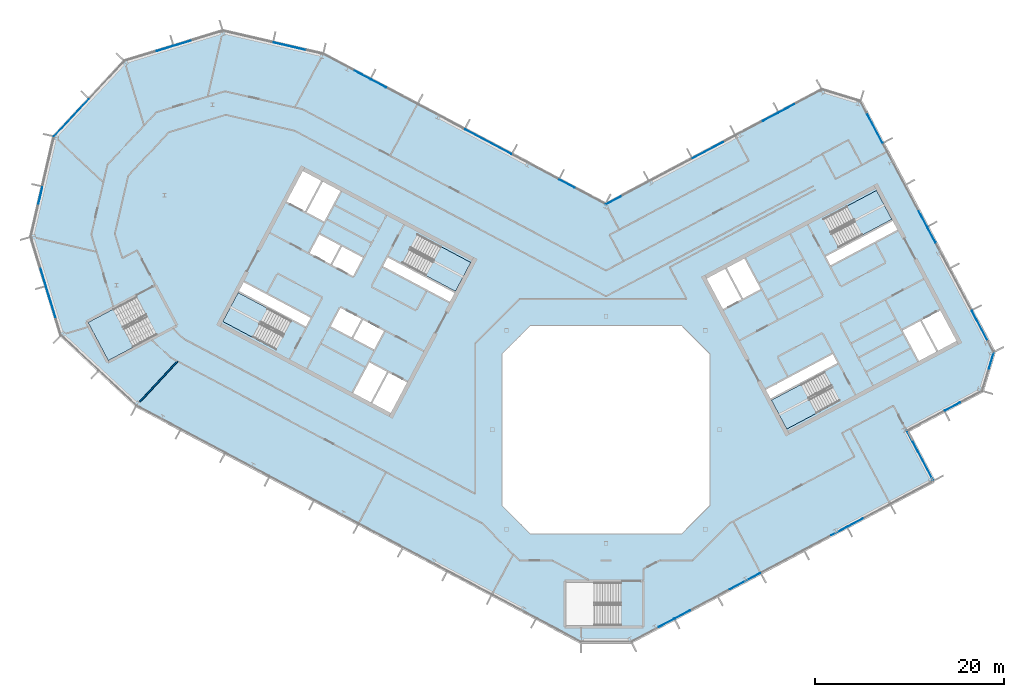
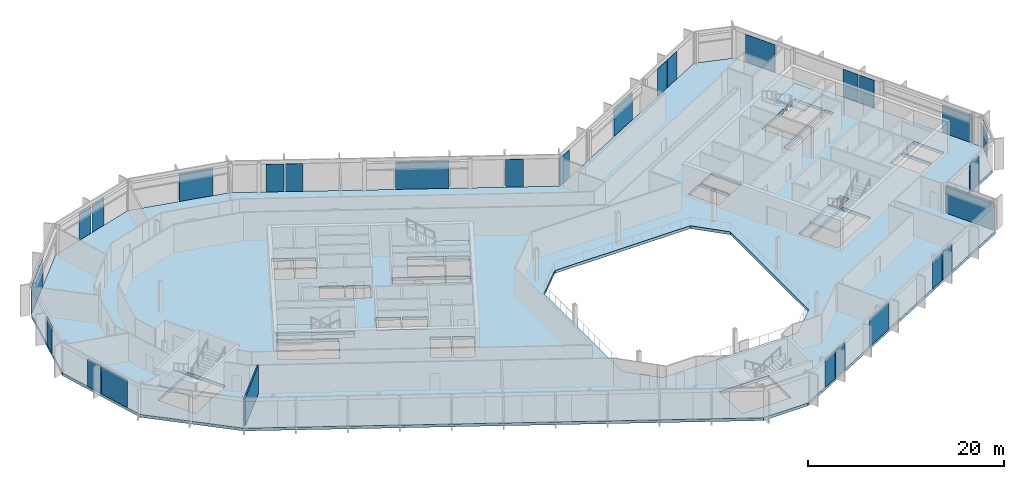
# One storey, part 11 of 25: 27 plates, 6 slabs, 1 wall, 17 elements without a shape of their own.
"""IFC4 building model written with IfcOpenShell, lengths in metres."""

from ifc_helpers import new_model, si_unit, direction, frame, frame_2d, origin, origin_2d, place, context, subcontext, project, spatial, polyline, rectangle, outline, extrude, material, layer, layer_set, type_object, element, aggregate, save


model = new_model("IFC4")

# Units and contexts
model_context = context("Model", 3, precision=1e-05, world=origin(), true_north=direction((0.0, 1.0)))
body_context = subcontext(model_context, "Body", "Model", "MODEL_VIEW")
ifc_project = project(units=[si_unit("LENGTHUNIT", "METRE"), si_unit("AREAUNIT", "SQUARE_METRE"), si_unit("VOLUMEUNIT", "CUBIC_METRE"), si_unit("PLANEANGLEUNIT", "RADIAN"), si_unit("MASSUNIT", "GRAM", prefix="KILO")], contexts=[model_context])

# Site, building, storey
site_placement = place(None, origin())
site = spatial("IfcSite", under=ifc_project, at=site_placement, CompositionType="ELEMENT")
building_placement = place(site_placement, origin())
building = spatial("IfcBuilding", under=site, at=building_placement, Name="Cormorant Relay Tower", CompositionType="ELEMENT")
storey_placement = place(building_placement, frame((0.0, 0.0, 289.199951171875)))
storey = spatial("IfcBuildingStorey", under=building, at=storey_placement, Name="L65", CompositionType="ELEMENT", Elevation=289.199951171875)

# Curtain wall, plates
ifc_material_1 = material(Name="Aluminium 6063-T6 anodised bronze", Category="aluminium")
ifc_layer_1 = layer(ifc_material_1, 0.199951171875)
ifc_layer_set_1 = layer_set([ifc_layer_1], Name="CW1 unitised bronze curtain wall with vertical fins")
curtain_wall_type = type_object("IfcCurtainWallType", Name="CW1 unitised bronze curtain wall with vertical fins", PredefinedType="NOTDEFINED", material=ifc_layer_set_1)
curtain_wall_1_placement = place(storey_placement, origin())
curtain_wall_1 = element("IfcCurtainWall", 1, at=curtain_wall_1_placement, inside=storey, type_object=curtain_wall_type, Name="CW1 curtain wall 2", PredefinedType="NOTDEFINED")
ifc_material_2 = material(Name="Tinted laminated glass", Category="glass")
ifc_layer_2 = layer(ifc_material_2, 0.0400390625)
ifc_layer_set_2 = layer_set([ifc_layer_2], Name="CW1 tinted vision panel 1800 module")
plate_type_1 = type_object("IfcPlateType", Name="CW1 tinted vision panel 1800 module", PredefinedType="CURTAIN_PANEL", material=ifc_layer_set_2)
plate_1_placement = place(storey_placement, frame((6.359130859375, -20.42529296875, 0.0), z_axis=(0.0, 0.0, 1.0), x_axis=(0.882947592859, 0.469471562786, 0.0)))
plate_1 = element("IfcPlate", 2, at=plate_1_placement, type_object=plate_type_1, Name="CW1 panel V01", PredefinedType="CURTAIN_PANEL", context=body_context, shape_type="SweptSolid", body=[
    extrude(rectangle(XDim=1.800048828125, YDim=0.0400390625, at=origin_2d()), origin(), (0.0, 0.0, 1.0), 3.449951171875),
])
plate_2_placement = place(storey_placement, frame((8.080810546875, -19.510009765625, 0.0), z_axis=(0.0, 0.0, 1.0), x_axis=(0.882947592859, 0.469471562786, 0.0)))
plate_2 = element("IfcPlate", 3, at=plate_2_placement, type_object=plate_type_1, Name="CW1 panel V02", PredefinedType="CURTAIN_PANEL", context=body_context, shape_type="SweptSolid", body=[
    extrude(rectangle(XDim=1.800048828125, YDim=0.0400390625, at=origin_2d()), origin(), (0.0, 0.0, 1.0), 3.449951171875),
])
plate_3_placement = place(storey_placement, frame((24.6064453125, -10.72314453125, 0.0), z_axis=(0.0, 0.0, 1.0), x_axis=(0.882947592859, 0.469471562786, 0.0)))
plate_3 = element("IfcPlate", 4, at=plate_3_placement, type_object=plate_type_1, Name="CW1 panel V06", PredefinedType="CURTAIN_PANEL", context=body_context, shape_type="SweptSolid", body=[
    extrude(rectangle(XDim=1.800048828125, YDim=0.0400390625, at=origin_2d()), origin(), (0.0, 0.0, 1.0), 3.449951171875),
])
plate_4_placement = place(storey_placement, frame((26.328125, -9.8076171875, 0.0), z_axis=(0.0, 0.0, 1.0), x_axis=(0.882947592859, 0.469471562786, 0.0)))
plate_4 = element("IfcPlate", 5, at=plate_4_placement, type_object=plate_type_1, Name="CW1 panel V07", PredefinedType="CURTAIN_PANEL", context=body_context, shape_type="SweptSolid", body=[
    extrude(rectangle(XDim=1.800048828125, YDim=0.0400390625, at=origin_2d()), origin(), (0.0, 0.0, 1.0), 3.449951171875),
])

# Curtain wall, plate
curtain_wall_2_placement = place(storey_placement, origin())
curtain_wall_2 = element("IfcCurtainWall", 6, at=curtain_wall_2_placement, inside=storey, type_object=curtain_wall_type, Name="CW1 curtain wall 4", PredefinedType="NOTDEFINED")
plate_5_placement = place(storey_placement, frame((36.608154296875, 2.45361328125, 0.0), z_axis=(0.0, 0.0, 1.0), x_axis=(0.882947592859, 0.469471562786, 0.0)))
plate_5 = element("IfcPlate", 7, at=plate_5_placement, type_object=plate_type_1, Name="CW1 panel V01", PredefinedType="CURTAIN_PANEL", context=body_context, shape_type="SweptSolid", body=[
    extrude(rectangle(XDim=1.800048828125, YDim=0.0400390625, at=origin_2d()), origin(), (0.0, 0.0, 1.0), 3.449951171875),
])
aggregate(curtain_wall_2, [plate_5])

curtain_wall_3_placement = place(storey_placement, origin())
curtain_wall_3 = element("IfcCurtainWall", 8, at=curtain_wall_3_placement, inside=storey, type_object=curtain_wall_type, Name="CW1 curtain wall 5", PredefinedType="NOTDEFINED")
plate_6_placement = place(storey_placement, frame((40.70751953125, 7.31689453125, 0.0), z_axis=(0.0, 0.0, 1.0), x_axis=(0.292371704723, 0.956304755963, 0.0)))
plate_6 = element("IfcPlate", 9, at=plate_6_placement, type_object=plate_type_1, Name="CW1 panel V01", PredefinedType="CURTAIN_PANEL", context=body_context, shape_type="SweptSolid", body=[
    extrude(rectangle(XDim=1.800048828125, YDim=0.0400390625, at=origin_2d()), origin(), (0.0, 0.0, 1.0), 3.449951171875),
])
aggregate(curtain_wall_3, [plate_6])

# Curtain wall, plates
curtain_wall_4_placement = place(storey_placement, origin())
curtain_wall_4 = element("IfcCurtainWall", 10, at=curtain_wall_4_placement, inside=storey, type_object=curtain_wall_type, Name="CW1 curtain wall 6", PredefinedType="NOTDEFINED")
plate_7_placement = place(storey_placement, frame((34.385009765625, 20.576171875, 0.0), z_axis=(0.0, 0.0, 1.0), x_axis=(-0.469471562786, 0.882947592859, 0.0)))
plate_7 = element("IfcPlate", 11, at=plate_7_placement, type_object=plate_type_1, Name="CW1 panel V03", PredefinedType="CURTAIN_PANEL", context=body_context, shape_type="SweptSolid", body=[
    extrude(rectangle(XDim=1.800048828125, YDim=0.0400390625, at=origin_2d()), origin(), (0.0, 0.0, 1.0), 3.449951171875),
])
plate_8_placement = place(storey_placement, frame((33.469482421875, 22.298095703125, 0.0), z_axis=(0.0, 0.0, 1.0), x_axis=(-0.469471562786, 0.882947592859, 0.0)))
plate_8 = element("IfcPlate", 12, at=plate_8_placement, type_object=plate_type_1, Name="CW1 panel V04", PredefinedType="CURTAIN_PANEL", context=body_context, shape_type="SweptSolid", body=[
    extrude(rectangle(XDim=1.800048828125, YDim=0.0400390625, at=origin_2d()), origin(), (0.0, 0.0, 1.0), 3.449951171875),
])

curtain_wall_5_placement = place(storey_placement, origin())
curtain_wall_5 = element("IfcCurtainWall", 13, at=curtain_wall_5_placement, inside=storey, type_object=curtain_wall_type, Name="CW1 curtain wall 8", PredefinedType="NOTDEFINED")
plate_9_placement = place(storey_placement, frame((19.099609375, 33.962158203125, 0.0), z_axis=(0.0, 0.0, 1.0), x_axis=(-0.882947592859, -0.469471562786, 0.0)))
plate_9 = element("IfcPlate", 14, at=plate_9_placement, type_object=plate_type_1, Name="CW1 panel V01", PredefinedType="CURTAIN_PANEL", context=body_context, shape_type="SweptSolid", body=[
    extrude(rectangle(XDim=1.800048828125, YDim=0.0400390625, at=origin_2d()), origin(), (0.0, 0.0, 1.0), 3.449951171875),
])
plate_10_placement = place(storey_placement, frame((17.3779296875, 33.046630859375, 0.0), z_axis=(0.0, 0.0, 1.0), x_axis=(-0.882947592859, -0.469471562786, 0.0)))
plate_10 = element("IfcPlate", 15, at=plate_10_placement, type_object=plate_type_1, Name="CW1 panel V02", PredefinedType="CURTAIN_PANEL", context=body_context, shape_type="SweptSolid", body=[
    extrude(rectangle(XDim=1.800048828125, YDim=0.0400390625, at=origin_2d()), origin(), (0.0, 0.0, 1.0), 3.449951171875),
])
plate_11_placement = place(storey_placement, frame((0.785400390625, 24.22412109375, 0.0), z_axis=(0.0, 0.0, 1.0), x_axis=(-0.882947592859, -0.469471562786, 0.0)))
plate_11 = element("IfcPlate", 16, at=plate_11_placement, type_object=plate_type_1, Name="CW1 panel V06", PredefinedType="CURTAIN_PANEL", context=body_context, shape_type="SweptSolid", body=[
    extrude(rectangle(XDim=1.800048828125, YDim=0.0400390625, at=origin_2d()), origin(), (0.0, 0.0, 1.0), 3.449951171875),
])

curtain_wall_6_placement = place(storey_placement, origin())
curtain_wall_6 = element("IfcCurtainWall", 17, at=curtain_wall_6_placement, inside=storey, type_object=curtain_wall_type, Name="CW1 curtain wall 9", PredefinedType="NOTDEFINED")
plate_12_placement = place(storey_placement, frame((-4.108642578125, 25.9912109375, 0.0), z_axis=(0.0, 0.0, 1.0), x_axis=(-0.882947592859, 0.469471562786, 0.0)))
plate_12 = element("IfcPlate", 18, at=plate_12_placement, type_object=plate_type_1, Name="CW1 panel V01", PredefinedType="CURTAIN_PANEL", context=body_context, shape_type="SweptSolid", body=[
    extrude(rectangle(XDim=1.800048828125, YDim=0.0400390625, at=origin_2d()), origin(), (0.0, 0.0, 1.0), 3.449951171875),
])
plate_13_placement = place(storey_placement, frame((-24.0244140625, 36.580810546875, 0.0), z_axis=(0.0, 0.0, 1.0), x_axis=(-0.882947592859, 0.469471562786, 0.0)))
plate_13 = element("IfcPlate", 19, at=plate_13_placement, type_object=plate_type_1, Name="CW1 panel V05", PredefinedType="CURTAIN_PANEL", context=body_context, shape_type="SweptSolid", body=[
    extrude(rectangle(XDim=1.800048828125, YDim=0.0400390625, at=origin_2d()), origin(), (0.0, 0.0, 1.0), 3.449951171875),
])
plate_14_placement = place(storey_placement, frame((-25.746337890625, 37.49609375, 0.0), z_axis=(0.0, 0.0, 1.0), x_axis=(-0.882947592859, 0.469471562786, 0.0)))
plate_14 = element("IfcPlate", 20, at=plate_14_placement, type_object=plate_type_1, Name="CW1 panel V06", PredefinedType="CURTAIN_PANEL", context=body_context, shape_type="SweptSolid", body=[
    extrude(rectangle(XDim=1.800048828125, YDim=0.0400390625, at=origin_2d()), origin(), (0.0, 0.0, 1.0), 3.449951171875),
])

curtain_wall_7_placement = place(storey_placement, origin())
curtain_wall_7 = element("IfcCurtainWall", 21, at=curtain_wall_7_placement, inside=storey, type_object=curtain_wall_type, Name="CW1 curtain wall 11", PredefinedType="NOTDEFINED")
plate_15_placement = place(storey_placement, frame((-44.73681640625, 40.82861328125, 0.0), z_axis=(0.0, 0.0, 1.0), x_axis=(-0.956304755963, -0.292371704723, 0.0)))
plate_15 = element("IfcPlate", 22, at=plate_15_placement, type_object=plate_type_1, Name="CW1 panel V01", PredefinedType="CURTAIN_PANEL", context=body_context, shape_type="SweptSolid", body=[
    extrude(rectangle(XDim=1.800048828125, YDim=0.0400390625, at=origin_2d()), origin(), (0.0, 0.0, 1.0), 3.449951171875),
])
plate_16_placement = place(storey_placement, frame((-46.6015625, 40.25830078125, 0.0), z_axis=(0.0, 0.0, 1.0), x_axis=(-0.956304755963, -0.292371704723, 0.0)))
plate_16 = element("IfcPlate", 23, at=plate_16_placement, type_object=plate_type_1, Name="CW1 panel V02", PredefinedType="CURTAIN_PANEL", context=body_context, shape_type="SweptSolid", body=[
    extrude(rectangle(XDim=1.800048828125, YDim=0.0400390625, at=origin_2d()), origin(), (0.0, 0.0, 1.0), 3.449951171875),
])
aggregate(curtain_wall_7, [plate_15, plate_16])

# Curtain wall, plate
curtain_wall_8_placement = place(storey_placement, origin())
curtain_wall_8 = element("IfcCurtainWall", 24, at=curtain_wall_8_placement, inside=storey, type_object=curtain_wall_type, Name="CW1 curtain wall 13", PredefinedType="NOTDEFINED")
plate_17_placement = place(storey_placement, frame((-59.736083984375, 24.74365234375, 0.0), z_axis=(0.0, 0.0, 1.0), x_axis=(-0.224951054344, -0.974370064785, 0.0)))
plate_17 = element("IfcPlate", 25, at=plate_17_placement, type_object=plate_type_1, Name="CW1 panel V01", PredefinedType="CURTAIN_PANEL", context=body_context, shape_type="SweptSolid", body=[
    extrude(rectangle(XDim=1.800048828125, YDim=0.0400390625, at=origin_2d()), origin(), (0.0, 0.0, 1.0), 3.449951171875),
])
aggregate(curtain_wall_8, [plate_17])

curtain_wall_9_placement = place(storey_placement, origin())
curtain_wall_9 = element("IfcCurtainWall", 26, at=curtain_wall_9_placement, inside=storey, type_object=curtain_wall_type, Name="CW1 curtain wall 14", PredefinedType="NOTDEFINED")
plate_18_placement = place(storey_placement, frame((-59.434814453125, 16.122314453125, 0.0), z_axis=(0.0, 0.0, 1.0), x_axis=(0.292371704723, -0.956304755963, 0.0)))
plate_18 = element("IfcPlate", 27, at=plate_18_placement, type_object=plate_type_1, Name="CW1 panel V01", PredefinedType="CURTAIN_PANEL", context=body_context, shape_type="SweptSolid", body=[
    extrude(rectangle(XDim=1.800048828125, YDim=0.0400390625, at=origin_2d()), origin(), (0.0, 0.0, 1.0), 3.449951171875),
])

# Plate
ifc_material_3 = material(Name="Tinted laminated glass", Category="glass")
ifc_layer_3 = layer(ifc_material_3, 0.0400390625)
ifc_layer_set_3 = layer_set([ifc_layer_3], Name="CW1 tinted vision panel 3600 module")
plate_type_2 = type_object("IfcPlateType", Name="CW1 tinted vision panel 3600 module", PredefinedType="CURTAIN_PANEL", material=ifc_layer_set_3)
plate_19_placement = place(storey_placement, frame((14.68798828125, -15.996826171875, 0.0), z_axis=(0.0, 0.0, 1.0), x_axis=(0.882947592859, 0.469471562786, 0.0)))
plate_19 = element("IfcPlate", 28, at=plate_19_placement, type_object=plate_type_2, Name="CW1 panel V04", PredefinedType="CURTAIN_PANEL", context=body_context, shape_type="SweptSolid", body=[
    extrude(rectangle(XDim=3.60009765625, YDim=0.0400390625, at=origin_2d()), origin(), (0.0, 0.0, 1.0), 3.449951171875),
])

aggregate(curtain_wall_1, [plate_1, plate_2, plate_19, plate_3, plate_4])

plate_20_placement = place(storey_placement, frame((39.502197265625, 10.9521484375, 0.0), z_axis=(0.0, 0.0, 1.0), x_axis=(-0.469471562786, 0.882947592859, 0.0)))
plate_20 = element("IfcPlate", 29, at=plate_20_placement, type_object=plate_type_2, Name="CW1 panel V01", PredefinedType="CURTAIN_PANEL", context=body_context, shape_type="SweptSolid", body=[
    extrude(rectangle(XDim=3.60009765625, YDim=0.0400390625, at=origin_2d()), origin(), (0.0, 0.0, 1.0), 3.449951171875),
])

plate_21_placement = place(storey_placement, frame((28.352294921875, 31.922119140625, 0.0), z_axis=(0.0, 0.0, 1.0), x_axis=(-0.469471562786, 0.882947592859, 0.0)))
plate_21 = element("IfcPlate", 30, at=plate_21_placement, type_object=plate_type_2, Name="CW1 panel V06", PredefinedType="CURTAIN_PANEL", context=body_context, shape_type="SweptSolid", body=[
    extrude(rectangle(XDim=3.60009765625, YDim=0.0400390625, at=origin_2d()), origin(), (0.0, 0.0, 1.0), 3.449951171875),
])

aggregate(curtain_wall_4, [plate_20, plate_7, plate_8, plate_21])

plate_22_placement = place(storey_placement, frame((10.770263671875, 29.533203125, 0.0), z_axis=(0.0, 0.0, 1.0), x_axis=(-0.882947592859, -0.469471562786, 0.0)))
plate_22 = element("IfcPlate", 31, at=plate_22_placement, type_object=plate_type_2, Name="CW1 panel V04", PredefinedType="CURTAIN_PANEL", context=body_context, shape_type="SweptSolid", body=[
    extrude(rectangle(XDim=3.60009765625, YDim=0.0400390625, at=origin_2d()), origin(), (0.0, 0.0, 1.0), 3.449951171875),
])

aggregate(curtain_wall_5, [plate_9, plate_10, plate_22, plate_11])

# Curtain wall, plate
curtain_wall_10_placement = place(storey_placement, origin())
curtain_wall_10 = element("IfcCurtainWall", 32, at=curtain_wall_10_placement, inside=storey, type_object=curtain_wall_type, Name="CW1 curtain wall 10", PredefinedType="NOTDEFINED")
plate_23_placement = place(storey_placement, frame((-33.338134765625, 40.488525390625, 0.0), z_axis=(0.0, 0.0, 1.0), x_axis=(-0.974370064785, 0.224951054344, 0.0)))
plate_23 = element("IfcPlate", 33, at=plate_23_placement, type_object=plate_type_2, Name="CW1 panel V01", PredefinedType="CURTAIN_PANEL", context=body_context, shape_type="SweptSolid", body=[
    extrude(rectangle(XDim=3.60009765625, YDim=0.0400390625, at=origin_2d()), origin(), (0.0, 0.0, 1.0), 3.449951171875),
])
aggregate(curtain_wall_10, [plate_23])

# Plate
plate_24_placement = place(storey_placement, frame((-58.601806640625, 13.396728515625, 0.0), z_axis=(0.0, 0.0, 1.0), x_axis=(0.292371704723, -0.956304755963, 0.0)))
plate_24 = element("IfcPlate", 34, at=plate_24_placement, type_object=plate_type_2, Name="CW1 panel V02", PredefinedType="CURTAIN_PANEL", context=body_context, shape_type="SweptSolid", body=[
    extrude(rectangle(XDim=3.60009765625, YDim=0.0400390625, at=origin_2d()), origin(), (0.0, 0.0, 1.0), 3.449951171875),
])

aggregate(curtain_wall_9, [plate_18, plate_24])

# Curtain wall, plate
curtain_wall_11_placement = place(storey_placement, origin())
curtain_wall_11 = element("IfcCurtainWall", 35, at=curtain_wall_11_placement, inside=storey, type_object=curtain_wall_type, Name="CW1 curtain wall 3", PredefinedType="NOTDEFINED")
ifc_material_4 = material(Name="Tinted laminated glass", Category="glass")
ifc_layer_4 = layer(ifc_material_4, 0.0400390625)
ifc_layer_set_4 = layer_set([ifc_layer_4], Name="CW1 tinted vision panel 5400 module")
plate_type_3 = type_object("IfcPlateType", Name="CW1 tinted vision panel 5400 module", PredefinedType="CURTAIN_PANEL", material=ifc_layer_set_4)
plate_25_placement = place(storey_placement, frame((33.173095703125, -2.705322265625, 0.0), z_axis=(0.0, 0.0, 1.0), x_axis=(-0.469471562786, 0.882947592859, 0.0)))
plate_25 = element("IfcPlate", 36, at=plate_25_placement, type_object=plate_type_3, Name="CW1 panel V00", PredefinedType="CURTAIN_PANEL", context=body_context, shape_type="SweptSolid", body=[
    extrude(rectangle(XDim=5.925048828125, YDim=0.0400390625, at=origin_2d()), origin(), (0.0, 0.0, 1.0), 3.449951171875),
])
aggregate(curtain_wall_11, [plate_25])

# Plate
plate_26_placement = place(storey_placement, frame((-12.43798828125, 30.419921875, 0.0), z_axis=(0.0, 0.0, 1.0), x_axis=(-0.882947592859, 0.469471562786, 0.0)))
plate_26 = element("IfcPlate", 37, at=plate_26_placement, type_object=plate_type_3, Name="CW1 panel V03", PredefinedType="CURTAIN_PANEL", context=body_context, shape_type="SweptSolid", body=[
    extrude(rectangle(XDim=5.489013671875, YDim=0.0400390625, at=origin_2d()), origin(), (0.0, 0.0, 1.0), 3.449951171875),
])

aggregate(curtain_wall_6, [plate_12, plate_26, plate_13, plate_14])

# Curtain wall, plate
curtain_wall_12_placement = place(storey_placement, origin())
curtain_wall_12 = element("IfcCurtainWall", 38, at=curtain_wall_12_placement, inside=storey, type_object=curtain_wall_type, Name="CW1 curtain wall 12", PredefinedType="NOTDEFINED")
plate_27_placement = place(storey_placement, frame((-56.461181640625, 32.958984375, 0.0), z_axis=(0.0, 0.0, 1.0), x_axis=(-0.681998360062, -0.731353701619, 0.0)))
plate_27 = element("IfcPlate", 39, at=plate_27_placement, type_object=plate_type_3, Name="CW1 panel V01", PredefinedType="CURTAIN_PANEL", context=body_context, shape_type="SweptSolid", body=[
    extrude(rectangle(XDim=5.360107421875, YDim=0.0400390625, at=origin_2d()), origin(), (0.0, 0.0, 1.0), 3.449951171875),
])
aggregate(curtain_wall_12, [plate_27])

# Stair, slab
ifc_material_5 = material(Name="Concrete 40 MPa", Category="concrete")
stair_type_1 = type_object("IfcStairType", Name="Exit stair 1500", PredefinedType="HALF_TURN_STAIR", material=ifc_material_5)
stair_1_placement = place(storey_placement, origin())
stair_1 = element("IfcStair", 40, at=stair_1_placement, inside=storey, type_object=stair_type_1, Name="L65 Stair", PredefinedType="HALF_TURN_STAIR")
ifc_material_6 = material(Name="Concrete 40 MPa", Category="concrete")
ifc_layer_5 = layer(ifc_material_6, 0.199951171875)
ifc_layer_set_5 = layer_set([ifc_layer_5], Name="Exit stair landing 200")
slab_type_1 = type_object("IfcSlabType", Name="Exit stair landing 200", PredefinedType="LANDING", material=ifc_layer_set_5)
slab_1_placement = place(storey_placement, frame((0.0, 0.0, 1.75)))
slab_1 = element("IfcSlab", 41, at=slab_1_placement, type_object=slab_type_1, Name="A1 landing 1", PredefinedType="LANDING", context=body_context, shape_type="SweptSolid", body=[
    extrude(outline(polyline([(-19.029541015625, 16.29052734375), (-15.89501953125, 14.6240234375), (-14.275390625, 17.670166015625), (-17.40966796875, 19.3369140625), (-19.029541015625, 16.29052734375)])), origin(), (0.0, 0.0, 1.0), 0.199951171875),
])
aggregate(stair_1, [slab_1])

stair_2_placement = place(storey_placement, origin())
stair_2 = element("IfcStair", 42, at=stair_2_placement, inside=storey, type_object=stair_type_1, Name="L65 Stair", PredefinedType="HALF_TURN_STAIR")
slab_2_placement = place(storey_placement, frame((0.0, 0.0, 1.75)))
slab_2 = element("IfcSlab", 43, at=slab_2_placement, type_object=slab_type_1, Name="A2 landing 1", PredefinedType="LANDING", context=body_context, shape_type="SweptSolid", body=[
    extrude(outline(polyline([(-35.71337890625, 12.816650390625), (-38.84765625, 14.483154296875), (-40.467529296875, 11.43701171875), (-37.3330078125, 9.7705078125), (-35.71337890625, 12.816650390625)])), origin(), (0.0, 0.0, 1.0), 0.199951171875),
])
aggregate(stair_2, [slab_2])

stair_3_placement = place(storey_placement, origin())
stair_3 = element("IfcStair", 44, at=stair_3_placement, inside=storey, type_object=stair_type_1, Name="L65 Stair", PredefinedType="HALF_TURN_STAIR")
slab_3_placement = place(storey_placement, frame((0.0, 0.0, 1.75)))
slab_3 = element("IfcSlab", 45, at=slab_3_placement, type_object=slab_type_1, Name="B1 landing 1", PredefinedType="LANDING", context=body_context, shape_type="SweptSolid", body=[
    extrude(outline(polyline([(20.614990234375, 4.78857421875), (17.48046875, 3.1220703125), (19.10009765625, 0.075927734375), (22.234619140625, 1.742431640625), (20.614990234375, 4.78857421875)])), origin(), (0.0, 0.0, 1.0), 0.199951171875),
])
aggregate(stair_3, [slab_3])

stair_4_placement = place(storey_placement, origin())
stair_4 = element("IfcStair", 46, at=stair_4_placement, inside=storey, type_object=stair_type_1, Name="L65 Stair", PredefinedType="HALF_TURN_STAIR")
slab_4_placement = place(storey_placement, frame((0.0, 0.0, 1.75)))
slab_4 = element("IfcSlab", 47, at=slab_4_placement, type_object=slab_type_1, Name="B2 landing 1", PredefinedType="LANDING", context=body_context, shape_type="SweptSolid", body=[
    extrude(outline(polyline([(27.064208984375, 20.562744140625), (30.19873046875, 22.2294921875), (28.5791015625, 25.275634765625), (25.444580078125, 23.60888671875), (27.064208984375, 20.562744140625)])), origin(), (0.0, 0.0, 1.0), 0.199951171875),
])
aggregate(stair_4, [slab_4])

ifc_material_7 = material(Name="Concrete 40 MPa", Category="concrete")
stair_type_2 = type_object("IfcStairType", Name="Remote exit stair 2200", PredefinedType="HALF_TURN_STAIR", material=ifc_material_7)
stair_5_placement = place(storey_placement, origin())
stair_5 = element("IfcStair", 48, at=stair_5_placement, inside=storey, type_object=stair_type_2, Name="L65 Stair", PredefinedType="HALF_TURN_STAIR")
slab_5_placement = place(storey_placement, frame((0.0, 0.0, 1.75)))
slab_5 = element("IfcSlab", 49, at=slab_5_placement, type_object=slab_type_1, Name="RP1 landing 1", PredefinedType="LANDING", context=body_context, shape_type="SweptSolid", body=[
    extrude(outline(polyline([(-52.051025390625, 12.7392578125), (-54.699951171875, 11.330810546875), (-52.563720703125, 7.3134765625), (-49.914794921875, 8.721923828125), (-52.051025390625, 12.7392578125)])), origin(), (0.0, 0.0, 1.0), 0.199951171875),
])
aggregate(stair_5, [slab_5])

# Slab
ifc_material_8 = material(Name="Concrete 40 MPa", Category="concrete")
ifc_layer_6 = layer(ifc_material_8, 0.360107421875)
ifc_layer_set_6 = layer_set([ifc_layer_6], Name="Flat plate 360")
slab_type_2 = type_object("IfcSlabType", Name="Flat plate 360", PredefinedType="FLOOR", material=ifc_layer_set_6)
slab_6_placement = place(storey_placement, frame((0.0, 0.0, -0.35986328125)))
element("IfcSlab", 50, at=slab_6_placement, inside=storey, type_object=slab_type_2, Name="Floor slab L65", PredefinedType="FLOOR", context=body_context, shape_type="SweptSolid", body=[
    extrude(outline(polyline([(-60.7197265625, 20.393310546875), (-58.2744140625, 30.985107421875), (-50.86083984375, 38.935302734375), (-40.465576171875, 42.11328125), (-29.873779296875, 39.668212890625), (0.0, 23.783935546875), (22.810302734375, 35.912353515625), (26.867431640625, 34.671875), (40.95166015625, 8.18359375), (39.711181640625, 4.126220703125), (31.7646484375, -0.09912109375), (34.581298828125, -5.396728515625), (2.648681640625, -22.37548828125), (-2.648681640625, -22.37548828125), (-49.591552734375, 2.584228515625), (-57.541748046875, 9.997802734375), (-60.7197265625, 20.393310546875)]), holes=[polyline([(11.0, -8.0), (11.0, 8.0), (8.0, 11.0), (-8.0, 11.0), (-11.0, 8.0), (-11.0, -8.0), (-8.0, -11.0), (8.0, -11.0), (11.0, -8.0)]), polyline([(-22.95458984375, 6.03271484375), (-24.668212890625, 2.81005859375), (-22.725830078125, 1.777099609375), (-21.01220703125, 5.0), (-23.04296875, 6.07958984375), (-22.95458984375, 6.03271484375)]), polyline([(-24.985595703125, 7.112548828125), (-26.69921875, 3.889892578125), (-24.844970703125, 2.90380859375), (-23.13134765625, 6.126708984375), (-23.04296875, 6.07958984375), (-24.985595703125, 7.112548828125)]), polyline([(-24.481201171875, 8.48681640625), (-23.448486328125, 10.42919921875), (-25.656005859375, 11.602783203125), (-26.688720703125, 9.660400390625), (-24.481201171875, 8.48681640625)]), polyline([(-49.57861328125, 14.0537109375), (-54.69970703125, 11.330810546875), (-52.563720703125, 7.3134765625), (-47.442626953125, 10.036376953125), (-49.57861328125, 14.0537109375)]), polyline([(-25.83251953125, 11.69677734375), (-28.039794921875, 12.870361328125), (-29.07275390625, 10.927978515625), (-26.865234375, 9.75439453125), (-25.83251953125, 11.69677734375)]), polyline([(-38.847900390625, 14.483154296875), (-40.46728515625, 11.43701171875), (-34.860595703125, 8.455810546875), (-33.240966796875, 11.502197265625), (-38.847900390625, 14.483154296875)]), polyline([(-38.260986328125, 15.5869140625), (-38.75390625, 14.659912109375), (-31.690185546875, 10.904052734375), (-31.197265625, 11.8310546875), (-38.260986328125, 15.5869140625)]), polyline([(-26.702880859375, 16.23681640625), (-25.670166015625, 18.17919921875), (-27.87744140625, 19.35302734375), (-28.910400390625, 17.410400390625), (-26.702880859375, 16.23681640625)]), polyline([(-31.294189453125, 18.677978515625), (-29.0869140625, 17.50439453125), (-28.053955078125, 19.447021484375), (-30.261474609375, 20.62060546875), (-31.294189453125, 18.677978515625)]), polyline([(-31.611572265625, 22.980712890625), (-29.75732421875, 21.99462890625), (-28.043701171875, 25.217529296875), (-29.89794921875, 26.203369140625), (-31.611572265625, 22.980712890625)]), polyline([(-32.01708984375, 27.330078125), (-33.73046875, 24.107421875), (-31.7880859375, 23.074462890625), (-30.074462890625, 26.29736328125), (-32.01708984375, 27.330078125)]), polyline([(-4.199951171875, -16.125), (-4.199951171875, -20.675048828125), (1.60009765625, -20.675048828125), (1.60009765625, -16.125), (-4.199951171875, -16.125)]), polyline([(17.48046875, 3.1220703125), (19.10009765625, 0.07568359375), (24.706787109375, 3.056884765625), (23.087158203125, 6.10302734375), (17.48046875, 3.1220703125)]), polyline([(17.386474609375, 3.298583984375), (24.4501953125, 7.054443359375), (23.957275390625, 7.9814453125), (16.8935546875, 4.2255859375), (17.386474609375, 3.298583984375)]), polyline([(33.197021484375, 11.478515625), (31.3427734375, 10.49267578125), (33.056396484375, 7.27001953125), (34.910400390625, 8.255859375), (33.197021484375, 11.478515625)]), polyline([(33.37353515625, 11.572509765625), (35.087158203125, 8.349609375), (37.029541015625, 9.382568359375), (35.31591796875, 12.605224609375), (33.37353515625, 11.572509765625)]), polyline([(14.3056640625, 13.779052734375), (12.592041015625, 17.001708984375), (10.649658203125, 15.968994140625), (12.36328125, 12.74609375), (14.39404296875, 13.825927734375), (14.3056640625, 13.779052734375)]), polyline([(16.33642578125, 14.85888671875), (14.622802734375, 18.08154296875), (12.768798828125, 17.095703125), (14.482421875, 13.872802734375), (14.39404296875, 13.825927734375), (16.33642578125, 14.85888671875)]), polyline([(-16.481689453125, 13.520263671875), (-15.989013671875, 14.447509765625), (-23.052490234375, 18.203125), (-23.54541015625, 17.276123046875), (-16.481689453125, 13.520263671875)]), polyline([(-15.89501953125, 14.6240234375), (-14.275390625, 17.670166015625), (-19.882080078125, 20.6513671875), (-21.501708984375, 17.605224609375), (-15.89501953125, 14.6240234375)]), polyline([(30.78564453125, 21.125732421875), (30.29248046875, 22.052978515625), (23.22900390625, 18.297119140625), (23.721923828125, 17.3701171875), (30.78564453125, 21.125732421875)]), polyline([(24.592041015625, 19.248291015625), (30.19873046875, 22.2294921875), (28.5791015625, 25.275634765625), (22.972412109375, 22.29443359375), (24.592041015625, 19.248291015625)])]), origin(), (0.0, 0.0, 1.0), 0.35986328125),
])

# Wall
ifc_material_9 = material(Name="Gypsum board partition")
ifc_layer_7 = layer(ifc_material_9, 0.14990234375)
ifc_layer_set_7 = layer_set([ifc_layer_7], Name="Tenant partition 150")
wall_type = type_object("IfcWallType", Name="Tenant partition 150", PredefinedType="PARTITIONING", material=ifc_layer_set_7)
wall_placement = place(storey_placement, frame((-45.2490234375, 7.240966796875, 0.0), z_axis=(0.0, 0.0, 1.0), x_axis=(-0.681993289905, -0.731358429584, 0.0)))
element("IfcWall", 51, at=wall_placement, inside=storey, type_object=wall_type, Name="wall/L65/part/012", PredefinedType="PARTITIONING", context=body_context, shape_type="SweptSolid", body=[
    extrude(rectangle(XDim=5.89013671875, YDim=0.14990234375, at=frame_2d((2.945068359375, 0.0))), origin(), (0.0, 0.0, 1.0), 3.5400390625),
])

save(model, "model.ifc")
